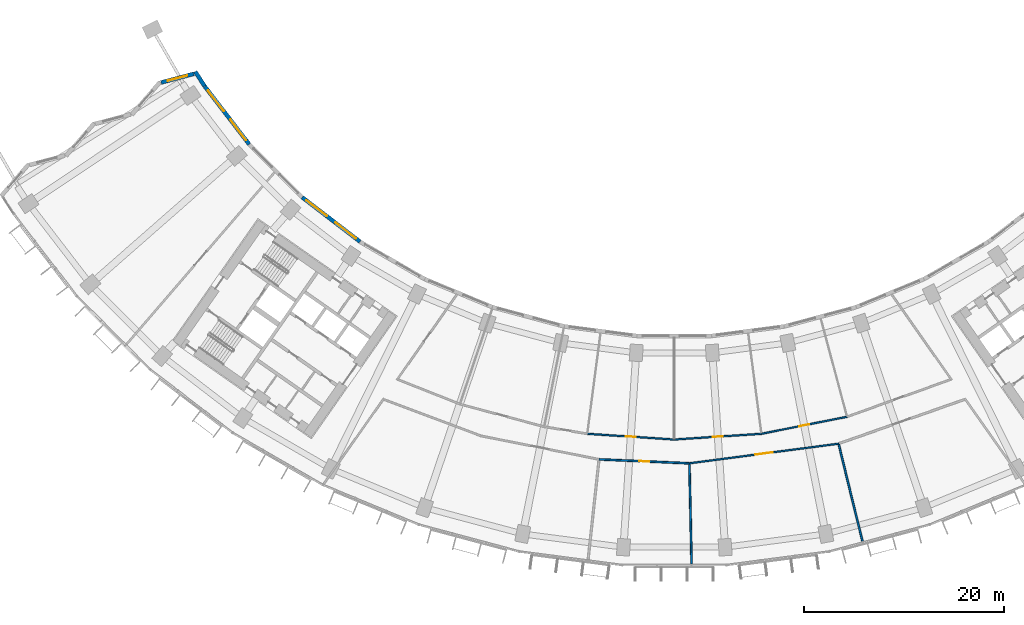
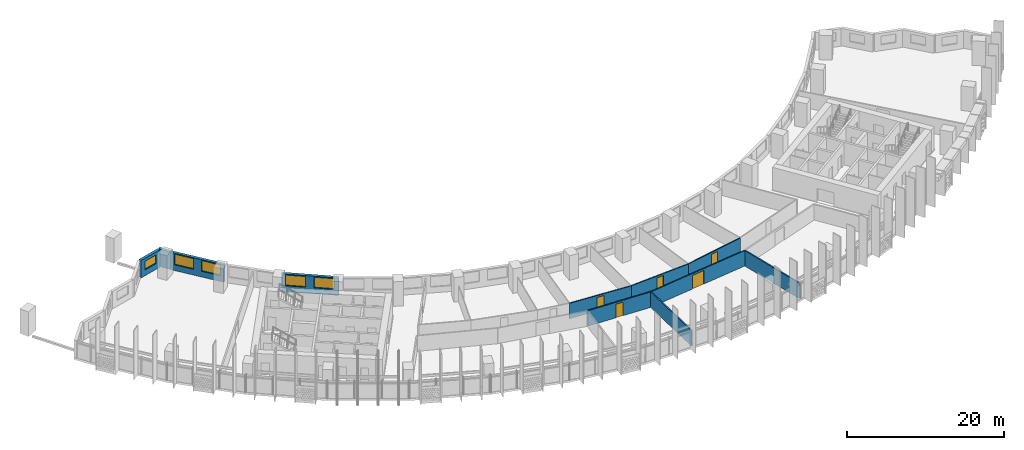
# One storey, part 5 of 31: 11 walls, 5 doors, 5 windows, 10 openings.
"""IFC4 building model written with IfcOpenShell, lengths in metres."""

from ifc_helpers import new_model, si_unit, direction, frame, frame_2d, origin, place, context, subcontext, project, spatial, rectangle, extrude, material, layer, layer_set, type_object, element, fill, save


model = new_model("IFC4")

# Units and contexts
model_context = context("Model", 3, precision=1e-05, world=origin(), true_north=direction((0.0, 1.0)))
body_context = subcontext(model_context, "Body", "Model", "MODEL_VIEW")
ifc_project = project(units=[si_unit("LENGTHUNIT", "METRE"), si_unit("AREAUNIT", "SQUARE_METRE"), si_unit("VOLUMEUNIT", "CUBIC_METRE"), si_unit("PLANEANGLEUNIT", "RADIAN"), si_unit("MASSUNIT", "GRAM", prefix="KILO")], contexts=[model_context])

# Site, building, storey
site_placement = place(None, origin())
site = spatial("IfcSite", under=ifc_project, at=site_placement, CompositionType="ELEMENT")
building_placement = place(site_placement, origin())
building = spatial("IfcBuilding", under=site, at=building_placement, Name="Qamariyya Broadcast Tower", CompositionType="ELEMENT")
storey_placement = place(building_placement, frame((0.0, 0.0, 55.699951171875)))
storey = spatial("IfcBuildingStorey", under=building, at=storey_placement, Name="L10", CompositionType="ELEMENT", Elevation=55.699951171875)

# Wall, opening, door
ifc_material_1 = material(Name="Gypsum board partition")
ifc_layer_1 = layer(ifc_material_1, 0.14990234375)
ifc_layer_set_1 = layer_set([ifc_layer_1], Name="Corridor partition 150 EI 60")
wall_type_1 = type_object("IfcWallType", Name="Corridor partition 150 EI 60", PredefinedType="PARTITIONING", material=ifc_layer_set_1)
wall_1_placement = place(storey_placement, frame((-8.71923828125, -66.228515625, 0.0), z_axis=(0.0, 0.0, 1.0), x_axis=(0.997858593599, -0.065408158359, 0.0)))
wall_1 = element("IfcWall", 1, at=wall_1_placement, inside=storey, type_object=wall_type_1, Name="Partition L10-011", PredefinedType="PARTITIONING", context=body_context, shape_type="SweptSolid", body=[
    extrude(rectangle(XDim=8.738037109375, YDim=0.14990234375, at=frame_2d((4.369140625, 0.0))), origin(), (0.0, 0.0, 1.0), 2.400146484375),
])
opening_1_placement = place(wall_1_placement, frame((3.868896484375, 0.0, 0.0)))
opening_1 = element("IfcOpeningElement", 2, at=opening_1_placement, cuts=wall_1, Name="Opening L10-D08", PredefinedType="OPENING", context=body_context, shape_type="SweptSolid", body=[
    extrude(rectangle(XDim=1.0, YDim=2.10009765625, at=frame_2d((0.5, 1.050048828125))), frame((0.0, 0.0849609375, 0.0), z_axis=(0.0, -1.0, 0.0), x_axis=(1.0, 0.0, 0.0)), (0.0, 0.0, 1.0), 0.169921875),
])
ifc_material_2 = material(Name="Timber fire door leaf", Category="wood")
door_type_1 = type_object("IfcDoorType", Name="Fire door 1000 x 2100 FD60", OperationType="NOTDEFINED", PredefinedType="DOOR", material=ifc_material_2)
door_1_placement = place(opening_1_placement, origin())
door_1 = element("IfcDoor", 3, at=door_1_placement, inside=storey, type_object=door_type_1, Name="Door L10-D08", OperationType="SINGLE_SWING_RIGHT", OverallHeight=2.10009765625, OverallWidth=1.0, PredefinedType="DOOR", context=body_context, shape_type="SweptSolid", body=[
    extrude(rectangle(XDim=1.0, YDim=2.10009765625, at=frame_2d((0.5, 1.050048828125))), frame((0.0, 0.02490234375, 0.0), z_axis=(0.0, -1.0, 0.0), x_axis=(1.0, 0.0, 0.0)), (0.0, 0.0, 1.0), 0.050048828125),
])
fill(opening_1, door_1)

wall_2_placement = place(storey_placement, frame((0.0, -66.800048828125, 0.0), z_axis=(0.0, 0.0, 1.0), x_axis=(0.997858593599, 0.065408158359, 0.0)))
wall_2 = element("IfcWall", 4, at=wall_2_placement, inside=storey, type_object=wall_type_1, Name="Partition L10-015", PredefinedType="PARTITIONING", context=body_context, shape_type="SweptSolid", body=[
    extrude(rectangle(XDim=8.738037109375, YDim=0.14990234375, at=frame_2d((4.369140625, 0.0))), origin(), (0.0, 0.0, 1.0), 2.400146484375),
])
opening_2_placement = place(wall_2_placement, frame((3.868896484375, 0.0, 0.0)))
opening_2 = element("IfcOpeningElement", 5, at=opening_2_placement, cuts=wall_2, Name="Opening L10-D09", PredefinedType="OPENING", context=body_context, shape_type="SweptSolid", body=[
    extrude(rectangle(XDim=1.0, YDim=2.10009765625, at=frame_2d((0.5, 1.050048828125))), frame((0.0, 0.0849609375, 0.0), z_axis=(0.0, -1.0, 0.0), x_axis=(1.0, 0.0, 0.0)), (0.0, 0.0, 1.0), 0.169921875),
])
door_2_placement = place(opening_2_placement, origin())
door_2 = element("IfcDoor", 6, at=door_2_placement, inside=storey, type_object=door_type_1, Name="Door L10-D09", OperationType="SINGLE_SWING_RIGHT", OverallHeight=2.10009765625, OverallWidth=1.0, PredefinedType="DOOR", context=body_context, shape_type="SweptSolid", body=[
    extrude(rectangle(XDim=1.0, YDim=2.10009765625, at=frame_2d((0.5, 1.050048828125))), frame((0.0, 0.02490234375, 0.0), z_axis=(0.0, -1.0, 0.0), x_axis=(1.0, 0.0, 0.0)), (0.0, 0.0, 1.0), 0.050048828125),
])
fill(opening_2, door_2)

wall_3_placement = place(storey_placement, frame((16.446044921875, -67.21728515625, 0.0), z_axis=(0.0, 0.0, 1.0), x_axis=(-0.991443700596, -0.130535008903, 0.0)))
wall_3 = element("IfcWall", 7, at=wall_3_placement, inside=storey, type_object=wall_type_1, Name="Partition L10-017", PredefinedType="PARTITIONING", context=body_context, shape_type="SweptSolid", body=[
    extrude(rectangle(XDim=15.0634765625, YDim=0.14990234375, at=frame_2d((7.53173828125, 0.0))), origin(), (0.0, 0.0, 1.0), 2.400146484375),
])
opening_3_placement = place(wall_3_placement, frame((6.631591796875, 0.0, 0.0)))
opening_3 = element("IfcOpeningElement", 8, at=opening_3_placement, cuts=wall_3, Name="Opening L10-D03", PredefinedType="OPENING", context=body_context, shape_type="SweptSolid", body=[
    extrude(rectangle(XDim=1.800048828125, YDim=2.10009765625, at=frame_2d((0.89990234375, 1.050048828125))), frame((0.0, 0.0849609375, 0.0), z_axis=(0.0, -1.0, 0.0), x_axis=(1.0, 0.0, 0.0)), (0.0, 0.0, 1.0), 0.169921875),
])
door_type_2 = type_object("IfcDoorType", Name="Double fire door 1800 x 2100 FD60", OperationType="NOTDEFINED", PredefinedType="DOOR", material=ifc_material_2)
door_3_placement = place(opening_3_placement, origin())
door_3 = element("IfcDoor", 9, at=door_3_placement, inside=storey, type_object=door_type_2, Name="Door L10-D03", OperationType="DOUBLE_DOOR_SINGLE_SWING", OverallHeight=2.10009765625, OverallWidth=1.800048828125, PredefinedType="DOOR", context=body_context, shape_type="SweptSolid", body=[
    extrude(rectangle(XDim=1.800048828125, YDim=2.10009765625, at=frame_2d((0.89990234375, 1.050048828125))), frame((0.0, 0.02490234375, 0.0), z_axis=(0.0, -1.0, 0.0), x_axis=(1.0, 0.0, 0.0)), (0.0, 0.0, 1.0), 0.050048828125),
])
fill(opening_3, door_3)

wall_4_placement = place(storey_placement, frame((8.71923828125, -66.228515625, 0.0), z_axis=(0.0, 0.0, 1.0), x_axis=(0.980786466832, 0.195084357342, 0.0)))
wall_4 = element("IfcWall", 10, at=wall_4_placement, inside=storey, type_object=wall_type_1, Name="Partition L10-020", PredefinedType="PARTITIONING", context=body_context, shape_type="SweptSolid", body=[
    extrude(rectangle(XDim=8.73779296875, YDim=0.14990234375, at=frame_2d((4.368896484375, 0.0))), origin(), (0.0, 0.0, 1.0), 2.400146484375),
])
opening_4_placement = place(wall_4_placement, frame((3.868896484375, 0.0, 0.0)))
opening_4 = element("IfcOpeningElement", 11, at=opening_4_placement, cuts=wall_4, Name="Opening L10-D10", PredefinedType="OPENING", context=body_context, shape_type="SweptSolid", body=[
    extrude(rectangle(XDim=1.0, YDim=2.10009765625, at=frame_2d((0.5, 1.050048828125))), frame((0.0, 0.0849609375, 0.0), z_axis=(0.0, -1.0, 0.0), x_axis=(1.0, 0.0, 0.0)), (0.0, 0.0, 1.0), 0.169921875),
])
door_4_placement = place(opening_4_placement, origin())
door_4 = element("IfcDoor", 12, at=door_4_placement, inside=storey, type_object=door_type_1, Name="Door L10-D10", OperationType="SINGLE_SWING_RIGHT", OverallHeight=2.10009765625, OverallWidth=1.0, PredefinedType="DOOR", context=body_context, shape_type="SweptSolid", body=[
    extrude(rectangle(XDim=1.0, YDim=2.10009765625, at=frame_2d((0.5, 1.050048828125))), frame((0.0, 0.02490234375, 0.0), z_axis=(0.0, -1.0, 0.0), x_axis=(1.0, 0.0, 0.0)), (0.0, 0.0, 1.0), 0.050048828125),
])
fill(opening_4, door_4)

ifc_layer_2 = layer(ifc_material_1, 0.179931640625)
ifc_layer_set_2 = layer_set([ifc_layer_2], Name="Studio acoustic partition 180 EI 60")
wall_type_2 = type_object("IfcWallType", Name="Studio acoustic partition 180 EI 60", PredefinedType="PARTITIONING", material=ifc_layer_set_2)
wall_5_placement = place(storey_placement, frame((1.511474609375, -69.18359375, 0.0), z_axis=(0.0, 0.0, 1.0), x_axis=(-0.999048509506, 0.043612792308, 0.0)))
wall_5 = element("IfcWall", 13, at=wall_5_placement, inside=storey, type_object=wall_type_2, Name="Partition L10-013", PredefinedType="PARTITIONING", context=body_context, shape_type="SweptSolid", body=[
    extrude(rectangle(XDim=9.0517578125, YDim=0.179931640625, at=frame_2d((4.52587890625, 0.0))), origin(), (0.0, 0.0, 1.0), 2.400146484375),
])
opening_5_placement = place(wall_5_placement, frame((4.02587890625, 0.0, 0.0)))
opening_5 = element("IfcOpeningElement", 14, at=opening_5_placement, cuts=wall_5, Name="Opening L10-D02", PredefinedType="OPENING", context=body_context, shape_type="SweptSolid", body=[
    extrude(rectangle(XDim=1.0, YDim=2.10009765625, at=frame_2d((0.5, 1.050048828125))), frame((0.0, 0.099853515625, 0.0), z_axis=(0.0, -1.0, 0.0), x_axis=(1.0, 0.0, 0.0)), (0.0, 0.0, 1.0), 0.199951171875),
])
door_5_placement = place(opening_5_placement, origin())
door_5 = element("IfcDoor", 15, at=door_5_placement, inside=storey, type_object=door_type_1, Name="Door L10-D02", OperationType="SINGLE_SWING_RIGHT", OverallHeight=2.10009765625, OverallWidth=1.0, PredefinedType="DOOR", context=body_context, shape_type="SweptSolid", body=[
    extrude(rectangle(XDim=1.0, YDim=2.10009765625, at=frame_2d((0.5, 1.050048828125))), frame((0.0, 0.02490234375, 0.0), z_axis=(0.0, -1.0, 0.0), x_axis=(1.0, 0.0, 0.0)), (0.0, 0.0, 1.0), 0.050048828125),
])
fill(opening_5, door_5)

# Walls
for number, where, z_axis, x_axis, name in (
    (16, (1.732177734375, -79.279541015625, 0.0), (0.0, 0.0, 1.0), (-0.021856434383, 0.999761119606, 0.0), "Partition L10-018"),
    (17, (18.845947265625, -77.0263671875, 0.0), (0.0, 0.0, 1.0), (-0.237665362365, 0.971347093233, 0.0), "Partition L10-024"),
):
    element("IfcWall", number, at=place(storey_placement, frame(where, z_axis=z_axis, x_axis=x_axis)), inside=storey, type_object=wall_type_2, Name=name, PredefinedType="PARTITIONING", context=body_context, shape_type="SweptSolid", body=[
        extrude(rectangle(XDim=10.008544921875, YDim=0.179931640625, at=frame_2d((5.00439453125, 0.0))), origin(), (0.0, 0.0, 1.0), 2.400146484375),
    ])

# Wall, opening, window
ifc_material_3 = material(Name="Terracotta", Category="masonry")
ifc_layer_3 = layer(ifc_material_3, 0.39990234375)
ifc_layer_set_3 = layer_set([ifc_layer_3], Name="Terracotta clad wall 400")
wall_type_3 = type_object("IfcWallType", Name="Terracotta clad wall 400", PredefinedType="SOLIDWALL", material=ifc_layer_set_3)
wall_6_placement = place(storey_placement, frame((-48.093994140625, -30.192138671875, 0.0), z_axis=(0.0, 0.0, 1.0), x_axis=(-0.966712031238, -0.25586685729, 0.0)))
wall_6 = element("IfcWall", 18, at=wall_6_placement, inside=storey, type_object=wall_type_3, Name="e-wl-L10-capW0", PredefinedType="SOLIDWALL", context=body_context, shape_type="SweptSolid", body=[
    extrude(rectangle(XDim=3.39404296875, YDim=0.39990234375, at=frame_2d((1.697021484375, 0.0))), origin(), (0.0, 0.0, 1.0), 2.699951171875),
])
opening_6_placement = place(wall_6_placement, frame((0.697021484375, 0.0, 0.89990234375)))
opening_6 = element("IfcOpeningElement", 19, at=opening_6_placement, cuts=wall_6, Name="Opening W4", PredefinedType="OPENING", context=body_context, shape_type="SweptSolid", body=[
    extrude(rectangle(XDim=2.0, YDim=1.35009765625, at=frame_2d((1.0, 0.675048828125))), frame((0.0, 0.2099609375, 0.0), z_axis=(0.0, -1.0, 0.0), x_axis=(1.0, 0.0, 0.0)), (0.0, 0.0, 1.0), 0.419921875),
])
ifc_material_4 = material(Name="Clear low-e double glazed unit in aluminium frame", Category="aluminium")
window_type_1 = type_object("IfcWindowType", Name="Horn bay window 2000 x 1350", PartitioningType="SINGLE_PANEL", PredefinedType="WINDOW", material=ifc_material_4)
window_1_placement = place(opening_6_placement, origin())
window_1 = element("IfcWindow", 20, at=window_1_placement, inside=storey, type_object=window_type_1, Name="e-w-L10-capW0", OverallHeight=1.35009765625, OverallWidth=2.0, PartitioningType="SINGLE_PANEL", PredefinedType="WINDOW", context=body_context, shape_type="SweptSolid", body=[
    extrude(rectangle(XDim=2.0, YDim=1.35009765625, at=frame_2d((1.0, 0.675048828125))), frame((0.0, 0.030029296875, 0.0), z_axis=(0.0, -1.0, 0.0), x_axis=(1.0, 0.0, 0.0)), (0.0, 0.0, 1.0), 0.06005859375),
])
fill(opening_6, window_1)

# Wall
wall_7_placement = place(storey_placement, frame((-47.0087890625, -31.434326171875, 0.0), z_axis=(0.0, 0.0, 1.0), x_axis=(-0.543088848387, 0.83967523648, 0.0)))
element("IfcWall", 21, at=wall_7_placement, inside=storey, type_object=wall_type_3, Name="e-wl-L10-in00", PredefinedType="SOLIDWALL", context=body_context, shape_type="SweptSolid", body=[
    extrude(rectangle(XDim=1.7451171875, YDim=0.39990234375, at=frame_2d((0.87255859375, 0.0))), origin(), (0.0, 0.0, 1.0), 2.699951171875),
])

# Wall, openings, windows
wall_8_placement = place(storey_placement, frame((-42.5478515625, -37.24609375, 0.0), z_axis=(0.0, 0.0, 1.0), x_axis=(-0.608748398091, 0.793363339096, 0.0)))
wall_8 = element("IfcWall", 22, at=wall_8_placement, inside=storey, type_object=wall_type_3, Name="e-wl-L10-in10", PredefinedType="SOLIDWALL", context=body_context, shape_type="SweptSolid", body=[
    extrude(rectangle(XDim=7.310302734375, YDim=0.39990234375, at=frame_2d((3.6552734375, 0.0))), origin(), (0.0, 0.0, 1.0), 2.699951171875),
])
opening_7_placement = place(wall_8_placement, frame((4.190673828125, 0.0, 0.89990234375)))
opening_7 = element("IfcOpeningElement", 23, at=opening_7_placement, cuts=wall_8, Name="Opening W1", PredefinedType="OPENING", context=body_context, shape_type="SweptSolid", body=[
    extrude(rectangle(XDim=2.60009765625, YDim=1.64990234375, at=frame_2d((1.300048828125, 0.824951171875))), frame((0.0, 0.2099609375, 0.0), z_axis=(0.0, -1.0, 0.0), x_axis=(1.0, 0.0, 0.0)), (0.0, 0.0, 1.0), 0.419921875),
])
opening_8_placement = place(wall_8_placement, frame((0.505126953125, 0.0, 0.89990234375)))
opening_8 = element("IfcOpeningElement", 24, at=opening_8_placement, cuts=wall_8, Name="Opening W1", PredefinedType="OPENING", context=body_context, shape_type="SweptSolid", body=[
    extrude(rectangle(XDim=2.60009765625, YDim=1.64990234375, at=frame_2d((1.300048828125, 0.824951171875))), frame((0.0, 0.2099609375, 0.0), z_axis=(0.0, -1.0, 0.0), x_axis=(1.0, 0.0, 0.0)), (0.0, 0.0, 1.0), 0.419921875),
])
window_type_2 = type_object("IfcWindowType", Name="Ribbon window 2600 x 1650", PartitioningType="SINGLE_PANEL", PredefinedType="WINDOW", material=ifc_material_4)
window_2_placement = place(opening_7_placement, origin())
window_2 = element("IfcWindow", 25, at=window_2_placement, inside=storey, type_object=window_type_2, Name="e-w-L10-in01-0", OverallHeight=1.64990234375, OverallWidth=2.60009765625, PartitioningType="SINGLE_PANEL", PredefinedType="WINDOW", context=body_context, shape_type="SweptSolid", body=[
    extrude(rectangle(XDim=2.60009765625, YDim=1.64990234375, at=frame_2d((1.300048828125, 0.824951171875))), frame((0.0, 0.030029296875, 0.0), z_axis=(0.0, -1.0, 0.0), x_axis=(1.0, 0.0, 0.0)), (0.0, 0.0, 1.0), 0.06005859375),
])
fill(opening_7, window_2)
window_3_placement = place(opening_8_placement, origin())
window_3 = element("IfcWindow", 26, at=window_3_placement, inside=storey, type_object=window_type_2, Name="e-w-L10-in01-1", OverallHeight=1.64990234375, OverallWidth=2.60009765625, PartitioningType="SINGLE_PANEL", PredefinedType="WINDOW", context=body_context, shape_type="SweptSolid", body=[
    extrude(rectangle(XDim=2.60009765625, YDim=1.64990234375, at=frame_2d((1.300048828125, 0.824951171875))), frame((0.0, 0.030029296875, 0.0), z_axis=(0.0, -1.0, 0.0), x_axis=(1.0, 0.0, 0.0)), (0.0, 0.0, 1.0), 0.06005859375),
])
fill(opening_8, window_3)

wall_9_placement = place(storey_placement, frame((-31.4580078125, -46.989013671875, 0.0), z_axis=(0.0, 0.0, 1.0), x_axis=(-0.79336607943, 0.60874482668, 0.0)))
wall_9 = element("IfcWall", 27, at=wall_9_placement, inside=storey, type_object=wall_type_3, Name="e-wl-L10-in30", PredefinedType="SOLIDWALL", context=body_context, shape_type="SweptSolid", body=[
    extrude(rectangle(XDim=7.295654296875, YDim=0.39990234375, at=frame_2d((3.64794921875, 0.0))), origin(), (0.0, 0.0, 1.0), 2.699951171875),
])
opening_9_placement = place(wall_9_placement, frame((4.190673828125, 0.0, 0.89990234375)))
opening_9 = element("IfcOpeningElement", 28, at=opening_9_placement, cuts=wall_9, Name="Opening W1", PredefinedType="OPENING", context=body_context, shape_type="SweptSolid", body=[
    extrude(rectangle(XDim=2.60009765625, YDim=1.64990234375, at=frame_2d((1.300048828125, 0.824951171875))), frame((0.0, 0.2099609375, 0.0), z_axis=(0.0, -1.0, 0.0), x_axis=(1.0, 0.0, 0.0)), (0.0, 0.0, 1.0), 0.419921875),
])
opening_10_placement = place(wall_9_placement, frame((0.505126953125, 0.0, 0.89990234375)))
opening_10 = element("IfcOpeningElement", 29, at=opening_10_placement, cuts=wall_9, Name="Opening W1", PredefinedType="OPENING", context=body_context, shape_type="SweptSolid", body=[
    extrude(rectangle(XDim=2.60009765625, YDim=1.64990234375, at=frame_2d((1.300048828125, 0.824951171875))), frame((0.0, 0.2099609375, 0.0), z_axis=(0.0, -1.0, 0.0), x_axis=(1.0, 0.0, 0.0)), (0.0, 0.0, 1.0), 0.419921875),
])
window_4_placement = place(opening_9_placement, origin())
window_4 = element("IfcWindow", 30, at=window_4_placement, inside=storey, type_object=window_type_2, Name="e-w-L10-in03-0", OverallHeight=1.64990234375, OverallWidth=2.60009765625, PartitioningType="SINGLE_PANEL", PredefinedType="WINDOW", context=body_context, shape_type="SweptSolid", body=[
    extrude(rectangle(XDim=2.60009765625, YDim=1.64990234375, at=frame_2d((1.300048828125, 0.824951171875))), frame((0.0, 0.030029296875, 0.0), z_axis=(0.0, -1.0, 0.0), x_axis=(1.0, 0.0, 0.0)), (0.0, 0.0, 1.0), 0.06005859375),
])
fill(opening_9, window_4)
window_5_placement = place(opening_10_placement, origin())
window_5 = element("IfcWindow", 31, at=window_5_placement, inside=storey, type_object=window_type_2, Name="e-w-L10-in03-1", OverallHeight=1.64990234375, OverallWidth=2.60009765625, PartitioningType="SINGLE_PANEL", PredefinedType="WINDOW", context=body_context, shape_type="SweptSolid", body=[
    extrude(rectangle(XDim=2.60009765625, YDim=1.64990234375, at=frame_2d((1.300048828125, 0.824951171875))), frame((0.0, 0.030029296875, 0.0), z_axis=(0.0, -1.0, 0.0), x_axis=(1.0, 0.0, 0.0)), (0.0, 0.0, 1.0), 0.06005859375),
])
fill(opening_10, window_5)

save(model, "model.ifc")
